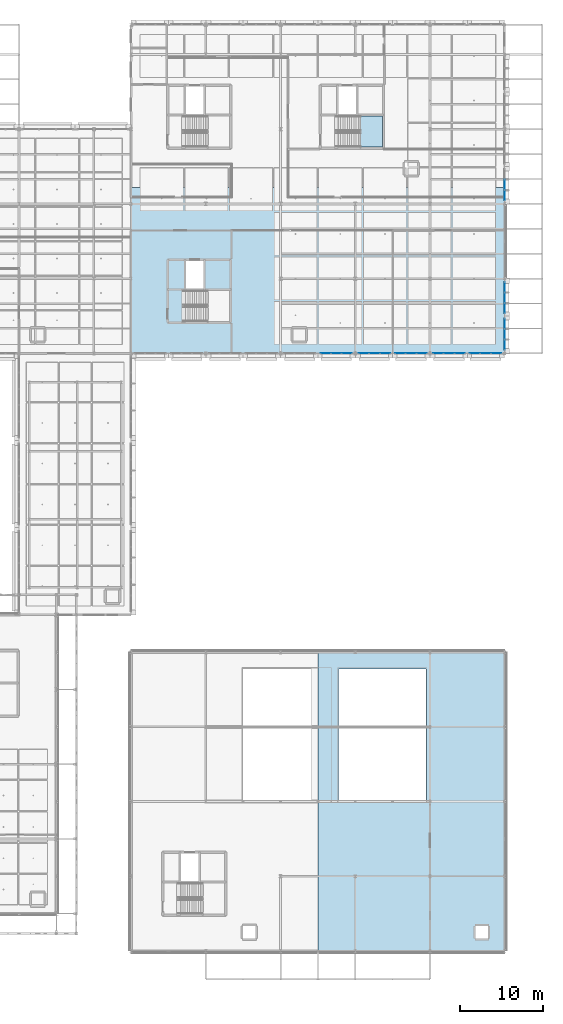
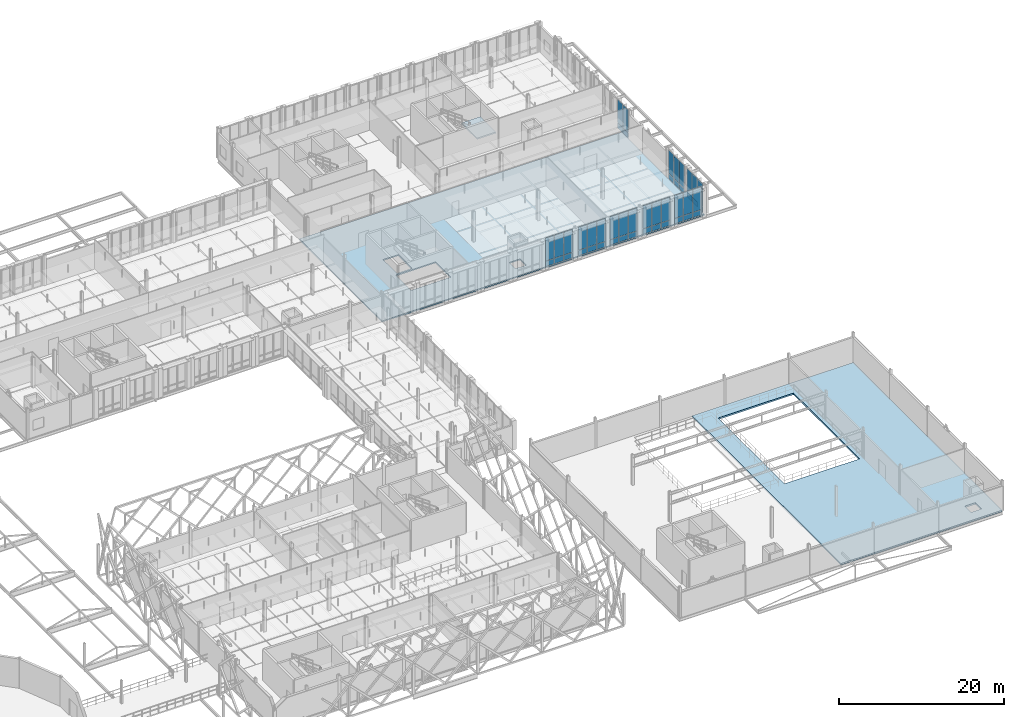
# One storey, part 77 of 140: 46 plates, 3 slabs, 9 elements without a shape of their own.
"""IFC4 building model written with IfcOpenShell, lengths in metres."""

from ifc_helpers import new_model, si_unit, direction, frame, origin, origin_2d, place, context, subcontext, project, spatial, polyline, rectangle, outline, extrude, material, layer, layer_set, type_object, element, aggregate, save


model = new_model("IFC4")

# Units and contexts
model_context = context("Model", 3, precision=1e-05, world=origin(), true_north=direction((0.0, 1.0)))
body_context = subcontext(model_context, "Body", "Model", "MODEL_VIEW")
ifc_project = project(units=[si_unit("LENGTHUNIT", "METRE"), si_unit("AREAUNIT", "SQUARE_METRE"), si_unit("VOLUMEUNIT", "CUBIC_METRE"), si_unit("PLANEANGLEUNIT", "RADIAN"), si_unit("MASSUNIT", "GRAM", prefix="KILO"), si_unit("THERMODYNAMICTEMPERATUREUNIT", "KELVIN"), si_unit("POWERUNIT", "WATT")], contexts=[model_context])

# Site, building, storey
site_placement = place(None, origin())
site = spatial("IfcSite", under=ifc_project, at=site_placement, CompositionType="ELEMENT")
building_placement = place(site_placement, origin())
building = spatial("IfcBuilding", under=site, at=building_placement, Name="Tallowbark Science Centre", CompositionType="ELEMENT")
storey_placement = place(building_placement, frame((0.0, 0.0, 9.89990234375)))
storey = spatial("IfcBuildingStorey", under=building, at=storey_placement, Name="L02", CompositionType="ELEMENT", Elevation=9.89990234375)

# Curtain wall, plates
ifc_material_1 = material(Name="Unitised Thermally Broken Aluminium and Low-E Double Glazing", Category="aluminium")
curtain_wall_type = type_object("IfcCurtainWallType", Name="CW-SYS-FACADE", PredefinedType="NOTDEFINED", material=ifc_material_1)
curtain_wall_1_placement = place(storey_placement, origin())
curtain_wall_1 = element("IfcCurtainWall", 1, at=curtain_wall_1_placement, inside=storey, type_object=curtain_wall_type, Name="Unitised Curtain Wall OBS-S-139B CW-L02-151", PredefinedType="NOTDEFINED")
ifc_material_2 = material(Name="Double Glazed Argon Low-E Vision Glass", Category="glass")
ifc_layer_1 = layer(ifc_material_2, 0.028076171875)
ifc_layer_set_1 = layer_set([ifc_layer_1], Name="Double Glazed Argon Low-E Vision Glass")
plate_type_1 = type_object("IfcPlateType", Name="CWP-GLZ-28", PredefinedType="CURTAIN_PANEL", material=ifc_layer_set_1)
plate_1_placement = place(storey_placement, frame((144.916259765625, 72.0, 0.05517578125), z_axis=(0.0, 0.0, 1.0), x_axis=(1.0, 0.0, 0.0)))
plate_1 = element("IfcPlate", 2, at=plate_1_placement, type_object=plate_type_1, Name="CW-01 panel 1.1", PredefinedType="CURTAIN_PANEL", context=body_context, shape_type="SweptSolid", body=[
    extrude(rectangle(XDim=1.202392578125, YDim=0.028076171875, at=origin_2d()), origin(), (0.0, 0.0, 1.0), 0.767578125),
])
plate_2_placement = place(storey_placement, frame((144.916259765625, 72.0, 0.87744140625), z_axis=(0.0, 0.0, 1.0), x_axis=(1.0, 0.0, 0.0)))
plate_2 = element("IfcPlate", 3, at=plate_2_placement, type_object=plate_type_1, Name="CW-01 panel 1.2", PredefinedType="CURTAIN_PANEL", context=body_context, shape_type="SweptSolid", body=[
    extrude(rectangle(XDim=1.202392578125, YDim=0.028076171875, at=origin_2d()), origin(), (0.0, 0.0, 1.0), 3.387451171875),
])
plate_3_placement = place(storey_placement, frame((146.199951171875, 72.0, 0.05517578125), z_axis=(0.0, 0.0, 1.0), x_axis=(1.0, 0.0, 0.0)))
plate_3 = element("IfcPlate", 4, at=plate_3_placement, type_object=plate_type_1, Name="CW-01 panel 2.1", PredefinedType="CURTAIN_PANEL", context=body_context, shape_type="SweptSolid", body=[
    extrude(rectangle(XDim=1.235107421875, YDim=0.028076171875, at=origin_2d()), origin(), (0.0, 0.0, 1.0), 0.767578125),
])
plate_4_placement = place(storey_placement, frame((146.199951171875, 72.0, 0.87744140625), z_axis=(0.0, 0.0, 1.0), x_axis=(1.0, 0.0, 0.0)))
plate_4 = element("IfcPlate", 5, at=plate_4_placement, type_object=plate_type_1, Name="CW-01 panel 2.2", PredefinedType="CURTAIN_PANEL", context=body_context, shape_type="SweptSolid", body=[
    extrude(rectangle(XDim=1.235107421875, YDim=0.028076171875, at=origin_2d()), origin(), (0.0, 0.0, 1.0), 3.387451171875),
])
plate_5_placement = place(storey_placement, frame((147.483642578125, 72.0, 0.05517578125), z_axis=(0.0, 0.0, 1.0), x_axis=(1.0, 0.0, 0.0)))
plate_5 = element("IfcPlate", 6, at=plate_5_placement, type_object=plate_type_1, Name="CW-01 panel 3.1", PredefinedType="CURTAIN_PANEL", context=body_context, shape_type="SweptSolid", body=[
    extrude(rectangle(XDim=1.202392578125, YDim=0.028076171875, at=origin_2d()), origin(), (0.0, 0.0, 1.0), 0.767578125),
])
plate_6_placement = place(storey_placement, frame((147.483642578125, 72.0, 0.87744140625), z_axis=(0.0, 0.0, 1.0), x_axis=(1.0, 0.0, 0.0)))
plate_6 = element("IfcPlate", 7, at=plate_6_placement, type_object=plate_type_1, Name="CW-01 panel 3.2", PredefinedType="CURTAIN_PANEL", context=body_context, shape_type="SweptSolid", body=[
    extrude(rectangle(XDim=1.202392578125, YDim=0.028076171875, at=origin_2d()), origin(), (0.0, 0.0, 1.0), 3.387451171875),
])
aggregate(curtain_wall_1, [plate_1, plate_2, plate_3, plate_4, plate_5, plate_6])

curtain_wall_2_placement = place(storey_placement, origin())
curtain_wall_2 = element("IfcCurtainWall", 8, at=curtain_wall_2_placement, inside=storey, type_object=curtain_wall_type, Name="Unitised Curtain Wall OBS-S-148A CW-L02-154", PredefinedType="NOTDEFINED")
plate_7_placement = place(storey_placement, frame((149.516357421875, 72.0, 0.05517578125), z_axis=(0.0, 0.0, 1.0), x_axis=(1.0, 0.0, 0.0)))
plate_7 = element("IfcPlate", 9, at=plate_7_placement, type_object=plate_type_1, Name="CW-01 panel 1.1", PredefinedType="CURTAIN_PANEL", context=body_context, shape_type="SweptSolid", body=[
    extrude(rectangle(XDim=1.202392578125, YDim=0.028076171875, at=origin_2d()), origin(), (0.0, 0.0, 1.0), 0.767578125),
])
plate_8_placement = place(storey_placement, frame((149.516357421875, 72.0, 0.87744140625), z_axis=(0.0, 0.0, 1.0), x_axis=(1.0, 0.0, 0.0)))
plate_8 = element("IfcPlate", 10, at=plate_8_placement, type_object=plate_type_1, Name="CW-01 panel 1.2", PredefinedType="CURTAIN_PANEL", context=body_context, shape_type="SweptSolid", body=[
    extrude(rectangle(XDim=1.202392578125, YDim=0.028076171875, at=origin_2d()), origin(), (0.0, 0.0, 1.0), 3.387451171875),
])
plate_9_placement = place(storey_placement, frame((150.800048828125, 72.0, 0.05517578125), z_axis=(0.0, 0.0, 1.0), x_axis=(1.0, 0.0, 0.0)))
plate_9 = element("IfcPlate", 11, at=plate_9_placement, type_object=plate_type_1, Name="CW-01 panel 2.1", PredefinedType="CURTAIN_PANEL", context=body_context, shape_type="SweptSolid", body=[
    extrude(rectangle(XDim=1.235107421875, YDim=0.028076171875, at=origin_2d()), origin(), (0.0, 0.0, 1.0), 0.767578125),
])
plate_10_placement = place(storey_placement, frame((150.800048828125, 72.0, 0.87744140625), z_axis=(0.0, 0.0, 1.0), x_axis=(1.0, 0.0, 0.0)))
plate_10 = element("IfcPlate", 12, at=plate_10_placement, type_object=plate_type_1, Name="CW-01 panel 2.2", PredefinedType="CURTAIN_PANEL", context=body_context, shape_type="SweptSolid", body=[
    extrude(rectangle(XDim=1.235107421875, YDim=0.028076171875, at=origin_2d()), origin(), (0.0, 0.0, 1.0), 3.387451171875),
])
plate_11_placement = place(storey_placement, frame((152.083740234375, 72.0, 0.05517578125), z_axis=(0.0, 0.0, 1.0), x_axis=(1.0, 0.0, 0.0)))
plate_11 = element("IfcPlate", 13, at=plate_11_placement, type_object=plate_type_1, Name="CW-01 panel 3.1", PredefinedType="CURTAIN_PANEL", context=body_context, shape_type="SweptSolid", body=[
    extrude(rectangle(XDim=1.202392578125, YDim=0.028076171875, at=origin_2d()), origin(), (0.0, 0.0, 1.0), 0.767578125),
])
plate_12_placement = place(storey_placement, frame((152.083740234375, 72.0, 0.87744140625), z_axis=(0.0, 0.0, 1.0), x_axis=(1.0, 0.0, 0.0)))
plate_12 = element("IfcPlate", 14, at=plate_12_placement, type_object=plate_type_1, Name="CW-01 panel 3.2", PredefinedType="CURTAIN_PANEL", context=body_context, shape_type="SweptSolid", body=[
    extrude(rectangle(XDim=1.202392578125, YDim=0.028076171875, at=origin_2d()), origin(), (0.0, 0.0, 1.0), 3.387451171875),
])
aggregate(curtain_wall_2, [plate_7, plate_8, plate_9, plate_10, plate_11, plate_12])

curtain_wall_3_placement = place(storey_placement, origin())
curtain_wall_3 = element("IfcCurtainWall", 15, at=curtain_wall_3_placement, inside=storey, type_object=curtain_wall_type, Name="Unitised Curtain Wall OBS-S-148B CW-L02-155", PredefinedType="NOTDEFINED")
plate_13_placement = place(storey_placement, frame((153.916259765625, 72.0, 0.05517578125), z_axis=(0.0, 0.0, 1.0), x_axis=(1.0, 0.0, 0.0)))
plate_13 = element("IfcPlate", 16, at=plate_13_placement, type_object=plate_type_1, Name="CW-01 panel 1.1", PredefinedType="CURTAIN_PANEL", context=body_context, shape_type="SweptSolid", body=[
    extrude(rectangle(XDim=1.202392578125, YDim=0.028076171875, at=origin_2d()), origin(), (0.0, 0.0, 1.0), 0.767578125),
])
plate_14_placement = place(storey_placement, frame((153.916259765625, 72.0, 0.87744140625), z_axis=(0.0, 0.0, 1.0), x_axis=(1.0, 0.0, 0.0)))
plate_14 = element("IfcPlate", 17, at=plate_14_placement, type_object=plate_type_1, Name="CW-01 panel 1.2", PredefinedType="CURTAIN_PANEL", context=body_context, shape_type="SweptSolid", body=[
    extrude(rectangle(XDim=1.202392578125, YDim=0.028076171875, at=origin_2d()), origin(), (0.0, 0.0, 1.0), 3.387451171875),
])
plate_15_placement = place(storey_placement, frame((155.199951171875, 72.0, 0.05517578125), z_axis=(0.0, 0.0, 1.0), x_axis=(1.0, 0.0, 0.0)))
plate_15 = element("IfcPlate", 18, at=plate_15_placement, type_object=plate_type_1, Name="CW-01 panel 2.1", PredefinedType="CURTAIN_PANEL", context=body_context, shape_type="SweptSolid", body=[
    extrude(rectangle(XDim=1.235107421875, YDim=0.028076171875, at=origin_2d()), origin(), (0.0, 0.0, 1.0), 0.767578125),
])
plate_16_placement = place(storey_placement, frame((155.199951171875, 72.0, 0.87744140625), z_axis=(0.0, 0.0, 1.0), x_axis=(1.0, 0.0, 0.0)))
plate_16 = element("IfcPlate", 19, at=plate_16_placement, type_object=plate_type_1, Name="CW-01 panel 2.2", PredefinedType="CURTAIN_PANEL", context=body_context, shape_type="SweptSolid", body=[
    extrude(rectangle(XDim=1.235107421875, YDim=0.028076171875, at=origin_2d()), origin(), (0.0, 0.0, 1.0), 3.387451171875),
])
plate_17_placement = place(storey_placement, frame((156.483642578125, 72.0, 0.05517578125), z_axis=(0.0, 0.0, 1.0), x_axis=(1.0, 0.0, 0.0)))
plate_17 = element("IfcPlate", 20, at=plate_17_placement, type_object=plate_type_1, Name="CW-01 panel 3.1", PredefinedType="CURTAIN_PANEL", context=body_context, shape_type="SweptSolid", body=[
    extrude(rectangle(XDim=1.202392578125, YDim=0.028076171875, at=origin_2d()), origin(), (0.0, 0.0, 1.0), 0.767578125),
])
plate_18_placement = place(storey_placement, frame((156.483642578125, 72.0, 0.87744140625), z_axis=(0.0, 0.0, 1.0), x_axis=(1.0, 0.0, 0.0)))
plate_18 = element("IfcPlate", 21, at=plate_18_placement, type_object=plate_type_1, Name="CW-01 panel 3.2", PredefinedType="CURTAIN_PANEL", context=body_context, shape_type="SweptSolid", body=[
    extrude(rectangle(XDim=1.202392578125, YDim=0.028076171875, at=origin_2d()), origin(), (0.0, 0.0, 1.0), 3.387451171875),
])
aggregate(curtain_wall_3, [plate_13, plate_14, plate_15, plate_16, plate_17, plate_18])

curtain_wall_4_placement = place(storey_placement, origin())
curtain_wall_4 = element("IfcCurtainWall", 22, at=curtain_wall_4_placement, inside=storey, type_object=curtain_wall_type, Name="Unitised Curtain Wall OBS-E-72A CW-L02-158", PredefinedType="NOTDEFINED")
plate_19_placement = place(storey_placement, frame((157.5, 73.016357421875, 0.05517578125), z_axis=(0.0, 0.0, 1.0), x_axis=(0.0, 1.0, 0.0)))
plate_19 = element("IfcPlate", 23, at=plate_19_placement, type_object=plate_type_1, Name="CW-01 panel 1.1", PredefinedType="CURTAIN_PANEL", context=body_context, shape_type="SweptSolid", body=[
    extrude(rectangle(XDim=1.202392578125, YDim=0.028076171875, at=origin_2d()), origin(), (0.0, 0.0, 1.0), 0.767578125),
])
plate_20_placement = place(storey_placement, frame((157.5, 73.016357421875, 0.87744140625), z_axis=(0.0, 0.0, 1.0), x_axis=(0.0, 1.0, 0.0)))
plate_20 = element("IfcPlate", 24, at=plate_20_placement, type_object=plate_type_1, Name="CW-01 panel 1.2", PredefinedType="CURTAIN_PANEL", context=body_context, shape_type="SweptSolid", body=[
    extrude(rectangle(XDim=1.202392578125, YDim=0.028076171875, at=origin_2d()), origin(), (0.0, 0.0, 1.0), 3.387451171875),
])
plate_21_placement = place(storey_placement, frame((157.5, 74.300048828125, 0.05517578125), z_axis=(0.0, 0.0, 1.0), x_axis=(0.0, 1.0, 0.0)))
plate_21 = element("IfcPlate", 25, at=plate_21_placement, type_object=plate_type_1, Name="CW-01 panel 2.1", PredefinedType="CURTAIN_PANEL", context=body_context, shape_type="SweptSolid", body=[
    extrude(rectangle(XDim=1.235107421875, YDim=0.028076171875, at=origin_2d()), origin(), (0.0, 0.0, 1.0), 0.767578125),
])
plate_22_placement = place(storey_placement, frame((157.5, 74.300048828125, 0.87744140625), z_axis=(0.0, 0.0, 1.0), x_axis=(0.0, 1.0, 0.0)))
plate_22 = element("IfcPlate", 26, at=plate_22_placement, type_object=plate_type_1, Name="CW-01 panel 2.2", PredefinedType="CURTAIN_PANEL", context=body_context, shape_type="SweptSolid", body=[
    extrude(rectangle(XDim=1.235107421875, YDim=0.028076171875, at=origin_2d()), origin(), (0.0, 0.0, 1.0), 3.387451171875),
])
plate_23_placement = place(storey_placement, frame((157.5, 75.583740234375, 0.05517578125), z_axis=(0.0, 0.0, 1.0), x_axis=(0.0, 1.0, 0.0)))
plate_23 = element("IfcPlate", 27, at=plate_23_placement, type_object=plate_type_1, Name="CW-01 panel 3.1", PredefinedType="CURTAIN_PANEL", context=body_context, shape_type="SweptSolid", body=[
    extrude(rectangle(XDim=1.202392578125, YDim=0.028076171875, at=origin_2d()), origin(), (0.0, 0.0, 1.0), 0.767578125),
])
plate_24_placement = place(storey_placement, frame((157.5, 75.583740234375, 0.87744140625), z_axis=(0.0, 0.0, 1.0), x_axis=(0.0, 1.0, 0.0)))
plate_24 = element("IfcPlate", 28, at=plate_24_placement, type_object=plate_type_1, Name="CW-01 panel 3.2", PredefinedType="CURTAIN_PANEL", context=body_context, shape_type="SweptSolid", body=[
    extrude(rectangle(XDim=1.202392578125, YDim=0.028076171875, at=origin_2d()), origin(), (0.0, 0.0, 1.0), 3.387451171875),
])
aggregate(curtain_wall_4, [plate_19, plate_20, plate_21, plate_22, plate_23, plate_24])

curtain_wall_5_placement = place(storey_placement, origin())
curtain_wall_5 = element("IfcCurtainWall", 29, at=curtain_wall_5_placement, inside=storey, type_object=curtain_wall_type, Name="Unitised Curtain Wall OBS-E-90A CW-L02-160", PredefinedType="NOTDEFINED")
plate_25_placement = place(storey_placement, frame((157.5, 91.016357421875, 0.05517578125), z_axis=(0.0, 0.0, 1.0), x_axis=(0.0, 1.0, 0.0)))
plate_25 = element("IfcPlate", 30, at=plate_25_placement, type_object=plate_type_1, Name="CW-01 panel 1.1", PredefinedType="CURTAIN_PANEL", context=body_context, shape_type="SweptSolid", body=[
    extrude(rectangle(XDim=1.202392578125, YDim=0.028076171875, at=origin_2d()), origin(), (0.0, 0.0, 1.0), 0.767578125),
])
plate_26_placement = place(storey_placement, frame((157.5, 91.016357421875, 0.87744140625), z_axis=(0.0, 0.0, 1.0), x_axis=(0.0, 1.0, 0.0)))
plate_26 = element("IfcPlate", 31, at=plate_26_placement, type_object=plate_type_1, Name="CW-01 panel 1.2", PredefinedType="CURTAIN_PANEL", context=body_context, shape_type="SweptSolid", body=[
    extrude(rectangle(XDim=1.202392578125, YDim=0.028076171875, at=origin_2d()), origin(), (0.0, 0.0, 1.0), 3.387451171875),
])
plate_27_placement = place(storey_placement, frame((157.5, 92.300048828125, 0.05517578125), z_axis=(0.0, 0.0, 1.0), x_axis=(0.0, 1.0, 0.0)))
plate_27 = element("IfcPlate", 32, at=plate_27_placement, type_object=plate_type_1, Name="CW-01 panel 2.1", PredefinedType="CURTAIN_PANEL", context=body_context, shape_type="SweptSolid", body=[
    extrude(rectangle(XDim=1.235107421875, YDim=0.028076171875, at=origin_2d()), origin(), (0.0, 0.0, 1.0), 0.767578125),
])
plate_28_placement = place(storey_placement, frame((157.5, 92.300048828125, 0.87744140625), z_axis=(0.0, 0.0, 1.0), x_axis=(0.0, 1.0, 0.0)))
plate_28 = element("IfcPlate", 33, at=plate_28_placement, type_object=plate_type_1, Name="CW-01 panel 2.2", PredefinedType="CURTAIN_PANEL", context=body_context, shape_type="SweptSolid", body=[
    extrude(rectangle(XDim=1.235107421875, YDim=0.028076171875, at=origin_2d()), origin(), (0.0, 0.0, 1.0), 3.387451171875),
])
aggregate(curtain_wall_5, [plate_25, plate_26, plate_27, plate_28])

curtain_wall_6_placement = place(storey_placement, origin())
curtain_wall_6 = element("IfcCurtainWall", 34, at=curtain_wall_6_placement, inside=storey, type_object=curtain_wall_type, Name="Unitised Curtain Wall OBS-S-130B CW-L02-147", PredefinedType="NOTDEFINED")
ifc_material_3 = material(Name="Ceramic-Fritted Insulated Glass Spandrel Panel", Category="glass")
ifc_layer_2 = layer(ifc_material_3, 0.031982421875)
ifc_layer_set_2 = layer_set([ifc_layer_2], Name="Ceramic-Fritted Insulated Glass Spandrel Panel")
plate_type_2 = type_object("IfcPlateType", Name="CWP-SPN-32", PredefinedType="CURTAIN_PANEL", material=ifc_layer_set_2)
plate_29_placement = place(storey_placement, frame((135.916259765625, 72.0, 0.05517578125), z_axis=(0.0, 0.0, 1.0), x_axis=(1.0, 0.0, 0.0)))
plate_29 = element("IfcPlate", 35, at=plate_29_placement, type_object=plate_type_2, Name="CW-01 panel 1.1", PredefinedType="CURTAIN_PANEL", context=body_context, shape_type="SweptSolid", body=[
    extrude(rectangle(XDim=1.202392578125, YDim=0.031982421875, at=origin_2d()), origin(), (0.0, 0.0, 1.0), 0.767578125),
])
plate_30_placement = place(storey_placement, frame((135.916259765625, 72.0, 0.87744140625), z_axis=(0.0, 0.0, 1.0), x_axis=(1.0, 0.0, 0.0)))
plate_30 = element("IfcPlate", 36, at=plate_30_placement, type_object=plate_type_2, Name="CW-01 panel 1.2", PredefinedType="CURTAIN_PANEL", context=body_context, shape_type="SweptSolid", body=[
    extrude(rectangle(XDim=1.202392578125, YDim=0.031982421875, at=origin_2d()), origin(), (0.0, 0.0, 1.0), 3.387451171875),
])
plate_31_placement = place(storey_placement, frame((137.199951171875, 72.0, 0.05517578125), z_axis=(0.0, 0.0, 1.0), x_axis=(1.0, 0.0, 0.0)))
plate_31 = element("IfcPlate", 37, at=plate_31_placement, type_object=plate_type_2, Name="CW-01 panel 2.1", PredefinedType="CURTAIN_PANEL", context=body_context, shape_type="SweptSolid", body=[
    extrude(rectangle(XDim=1.235107421875, YDim=0.031982421875, at=origin_2d()), origin(), (0.0, 0.0, 1.0), 0.767578125),
])
plate_32_placement = place(storey_placement, frame((137.199951171875, 72.0, 0.87744140625), z_axis=(0.0, 0.0, 1.0), x_axis=(1.0, 0.0, 0.0)))
plate_32 = element("IfcPlate", 38, at=plate_32_placement, type_object=plate_type_2, Name="CW-01 panel 2.2", PredefinedType="CURTAIN_PANEL", context=body_context, shape_type="SweptSolid", body=[
    extrude(rectangle(XDim=1.235107421875, YDim=0.031982421875, at=origin_2d()), origin(), (0.0, 0.0, 1.0), 3.387451171875),
])
plate_33_placement = place(storey_placement, frame((138.483642578125, 72.0, 0.05517578125), z_axis=(0.0, 0.0, 1.0), x_axis=(1.0, 0.0, 0.0)))
plate_33 = element("IfcPlate", 39, at=plate_33_placement, type_object=plate_type_2, Name="CW-01 panel 3.1", PredefinedType="CURTAIN_PANEL", context=body_context, shape_type="SweptSolid", body=[
    extrude(rectangle(XDim=1.202392578125, YDim=0.031982421875, at=origin_2d()), origin(), (0.0, 0.0, 1.0), 0.767578125),
])
plate_34_placement = place(storey_placement, frame((138.483642578125, 72.0, 0.87744140625), z_axis=(0.0, 0.0, 1.0), x_axis=(1.0, 0.0, 0.0)))
plate_34 = element("IfcPlate", 40, at=plate_34_placement, type_object=plate_type_2, Name="CW-01 panel 3.2", PredefinedType="CURTAIN_PANEL", context=body_context, shape_type="SweptSolid", body=[
    extrude(rectangle(XDim=1.202392578125, YDim=0.031982421875, at=origin_2d()), origin(), (0.0, 0.0, 1.0), 3.387451171875),
])
aggregate(curtain_wall_6, [plate_29, plate_30, plate_31, plate_32, plate_33, plate_34])

curtain_wall_7_placement = place(storey_placement, origin())
curtain_wall_7 = element("IfcCurtainWall", 41, at=curtain_wall_7_placement, inside=storey, type_object=curtain_wall_type, Name="Unitised Curtain Wall OBS-S-139A CW-L02-150", PredefinedType="NOTDEFINED")
plate_35_placement = place(storey_placement, frame((140.516357421875, 72.0, 0.05517578125), z_axis=(0.0, 0.0, 1.0), x_axis=(1.0, 0.0, 0.0)))
plate_35 = element("IfcPlate", 42, at=plate_35_placement, type_object=plate_type_2, Name="CW-01 panel 1.1", PredefinedType="CURTAIN_PANEL", context=body_context, shape_type="SweptSolid", body=[
    extrude(rectangle(XDim=1.202392578125, YDim=0.031982421875, at=origin_2d()), origin(), (0.0, 0.0, 1.0), 0.767578125),
])
plate_36_placement = place(storey_placement, frame((140.516357421875, 72.0, 0.87744140625), z_axis=(0.0, 0.0, 1.0), x_axis=(1.0, 0.0, 0.0)))
plate_36 = element("IfcPlate", 43, at=plate_36_placement, type_object=plate_type_2, Name="CW-01 panel 1.2", PredefinedType="CURTAIN_PANEL", context=body_context, shape_type="SweptSolid", body=[
    extrude(rectangle(XDim=1.202392578125, YDim=0.031982421875, at=origin_2d()), origin(), (0.0, 0.0, 1.0), 3.387451171875),
])
plate_37_placement = place(storey_placement, frame((141.800048828125, 72.0, 0.05517578125), z_axis=(0.0, 0.0, 1.0), x_axis=(1.0, 0.0, 0.0)))
plate_37 = element("IfcPlate", 44, at=plate_37_placement, type_object=plate_type_2, Name="CW-01 panel 2.1", PredefinedType="CURTAIN_PANEL", context=body_context, shape_type="SweptSolid", body=[
    extrude(rectangle(XDim=1.235107421875, YDim=0.031982421875, at=origin_2d()), origin(), (0.0, 0.0, 1.0), 0.767578125),
])
plate_38_placement = place(storey_placement, frame((141.800048828125, 72.0, 0.87744140625), z_axis=(0.0, 0.0, 1.0), x_axis=(1.0, 0.0, 0.0)))
plate_38 = element("IfcPlate", 45, at=plate_38_placement, type_object=plate_type_2, Name="CW-01 panel 2.2", PredefinedType="CURTAIN_PANEL", context=body_context, shape_type="SweptSolid", body=[
    extrude(rectangle(XDim=1.235107421875, YDim=0.031982421875, at=origin_2d()), origin(), (0.0, 0.0, 1.0), 3.387451171875),
])
plate_39_placement = place(storey_placement, frame((143.083740234375, 72.0, 0.05517578125), z_axis=(0.0, 0.0, 1.0), x_axis=(1.0, 0.0, 0.0)))
plate_39 = element("IfcPlate", 46, at=plate_39_placement, type_object=plate_type_2, Name="CW-01 panel 3.1", PredefinedType="CURTAIN_PANEL", context=body_context, shape_type="SweptSolid", body=[
    extrude(rectangle(XDim=1.202392578125, YDim=0.031982421875, at=origin_2d()), origin(), (0.0, 0.0, 1.0), 0.767578125),
])
plate_40_placement = place(storey_placement, frame((143.083740234375, 72.0, 0.87744140625), z_axis=(0.0, 0.0, 1.0), x_axis=(1.0, 0.0, 0.0)))
plate_40 = element("IfcPlate", 47, at=plate_40_placement, type_object=plate_type_2, Name="CW-01 panel 3.2", PredefinedType="CURTAIN_PANEL", context=body_context, shape_type="SweptSolid", body=[
    extrude(rectangle(XDim=1.202392578125, YDim=0.031982421875, at=origin_2d()), origin(), (0.0, 0.0, 1.0), 3.387451171875),
])
aggregate(curtain_wall_7, [plate_35, plate_36, plate_37, plate_38, plate_39, plate_40])

curtain_wall_8_placement = place(storey_placement, origin())
curtain_wall_8 = element("IfcCurtainWall", 48, at=curtain_wall_8_placement, inside=storey, type_object=curtain_wall_type, Name="Unitised Curtain Wall OBS-E-72B CW-L02-159", PredefinedType="NOTDEFINED")
plate_41_placement = place(storey_placement, frame((157.5, 77.416259765625, 0.05517578125), z_axis=(0.0, 0.0, 1.0), x_axis=(0.0, 1.0, 0.0)))
plate_41 = element("IfcPlate", 49, at=plate_41_placement, type_object=plate_type_2, Name="CW-01 panel 1.1", PredefinedType="CURTAIN_PANEL", context=body_context, shape_type="SweptSolid", body=[
    extrude(rectangle(XDim=1.202392578125, YDim=0.031982421875, at=origin_2d()), origin(), (0.0, 0.0, 1.0), 0.767578125),
])
plate_42_placement = place(storey_placement, frame((157.5, 77.416259765625, 0.87744140625), z_axis=(0.0, 0.0, 1.0), x_axis=(0.0, 1.0, 0.0)))
plate_42 = element("IfcPlate", 50, at=plate_42_placement, type_object=plate_type_2, Name="CW-01 panel 1.2", PredefinedType="CURTAIN_PANEL", context=body_context, shape_type="SweptSolid", body=[
    extrude(rectangle(XDim=1.202392578125, YDim=0.031982421875, at=origin_2d()), origin(), (0.0, 0.0, 1.0), 3.387451171875),
])
plate_43_placement = place(storey_placement, frame((157.5, 78.699951171875, 0.05517578125), z_axis=(0.0, 0.0, 1.0), x_axis=(0.0, 1.0, 0.0)))
plate_43 = element("IfcPlate", 51, at=plate_43_placement, type_object=plate_type_2, Name="CW-01 panel 2.1", PredefinedType="CURTAIN_PANEL", context=body_context, shape_type="SweptSolid", body=[
    extrude(rectangle(XDim=1.235107421875, YDim=0.031982421875, at=origin_2d()), origin(), (0.0, 0.0, 1.0), 0.767578125),
])
plate_44_placement = place(storey_placement, frame((157.5, 78.699951171875, 0.87744140625), z_axis=(0.0, 0.0, 1.0), x_axis=(0.0, 1.0, 0.0)))
plate_44 = element("IfcPlate", 52, at=plate_44_placement, type_object=plate_type_2, Name="CW-01 panel 2.2", PredefinedType="CURTAIN_PANEL", context=body_context, shape_type="SweptSolid", body=[
    extrude(rectangle(XDim=1.235107421875, YDim=0.031982421875, at=origin_2d()), origin(), (0.0, 0.0, 1.0), 3.387451171875),
])
plate_45_placement = place(storey_placement, frame((157.5, 79.983642578125, 0.05517578125), z_axis=(0.0, 0.0, 1.0), x_axis=(0.0, 1.0, 0.0)))
plate_45 = element("IfcPlate", 53, at=plate_45_placement, type_object=plate_type_2, Name="CW-01 panel 3.1", PredefinedType="CURTAIN_PANEL", context=body_context, shape_type="SweptSolid", body=[
    extrude(rectangle(XDim=1.202392578125, YDim=0.031982421875, at=origin_2d()), origin(), (0.0, 0.0, 1.0), 0.767578125),
])
plate_46_placement = place(storey_placement, frame((157.5, 79.983642578125, 0.87744140625), z_axis=(0.0, 0.0, 1.0), x_axis=(0.0, 1.0, 0.0)))
plate_46 = element("IfcPlate", 54, at=plate_46_placement, type_object=plate_type_2, Name="CW-01 panel 3.2", PredefinedType="CURTAIN_PANEL", context=body_context, shape_type="SweptSolid", body=[
    extrude(rectangle(XDim=1.202392578125, YDim=0.031982421875, at=origin_2d()), origin(), (0.0, 0.0, 1.0), 3.387451171875),
])
aggregate(curtain_wall_8, [plate_41, plate_42, plate_43, plate_44, plate_45, plate_46])

# Slabs
ifc_material_4 = material(Name="Concrete Grade N40 (40 MPa)", Category="concrete")
ifc_layer_3 = layer(ifc_material_4, 0.179931640625)
ifc_layer_set_3 = layer_set([ifc_layer_3], Name="Concrete Grade N40 (40 MPa)")
slab_type_1 = type_object("IfcSlabType", Name="SLB-FLR-180", PredefinedType="FLOOR", material=ifc_layer_set_3)
slab_1_placement = place(storey_placement, frame((0.0, 0.0, -0.179931640625)))
element("IfcSlab", 55, at=slab_1_placement, inside=storey, type_object=slab_type_1, Name="Astronomy Wing South Slab L02 SLB-OBS-S-L02", PredefinedType="FLOOR", context=body_context, shape_type="SweptSolid", body=[
    extrude(outline(polyline([(112.52490234375, 72.0), (157.5, 72.0), (157.5, 92.0), (112.52490234375, 92.0), (112.52490234375, 72.0)]), holes=[polyline([(118.81005859375, 75.85009765625), (124.35009765625, 75.85009765625), (124.35009765625, 79.570068359375), (118.81005859375, 79.570068359375), (118.81005859375, 75.85009765625)]), polyline([(119.10009765625, 79.820068359375), (121.199951171875, 79.820068359375), (121.199951171875, 83.14990234375), (119.10009765625, 83.14990234375), (119.10009765625, 79.820068359375)]), polyline([(132.0, 73.5), (133.5, 73.5), (133.5, 75.0), (132.0, 75.0), (132.0, 73.5)])]), origin(), (0.0, 0.0, 1.0), 0.179931640625),
])
ifc_layer_4 = layer(ifc_material_4, 0.239990234375)
ifc_layer_set_4 = layer_set([ifc_layer_4], Name="Concrete Grade N40 (40 MPa)")
slab_type_2 = type_object("IfcSlabType", Name="SLB-GND-240", PredefinedType="FLOOR", material=ifc_layer_set_4)
slab_2_placement = place(storey_placement, frame((0.0, 0.0, -0.239990234375)))
element("IfcSlab", 56, at=slab_2_placement, inside=storey, type_object=slab_type_2, Name="Theatre East Slab SLB-THT-E-L02", PredefinedType="FLOOR", context=body_context, shape_type="SweptSolid", body=[
    extrude(outline(polyline([(135.0, 0.0), (157.5, 0.0), (157.5, 36.0), (135.0, 36.0), (135.0, 0.0)]), holes=[polyline([(154.0, 1.5), (155.5, 1.5), (155.5, 3.0), (154.0, 3.0), (154.0, 1.5)]), polyline([(137.5, 18.0), (148.0, 18.0), (148.0, 34.0), (137.5, 34.0), (137.5, 18.0)])]), origin(), (0.0, 0.0, 1.0), 0.239990234375),
])

# Stair, slab
stair_type = type_object("IfcStairType", Name="STR-C4", PredefinedType="HALF_TURN_STAIR", material=ifc_material_4)
stair_placement = place(storey_placement, origin())
stair = element("IfcStair", 57, at=stair_placement, inside=storey, type_object=stair_type, Name="L02 Fire Stair ST-04", PredefinedType="HALF_TURN_STAIR")
ifc_layer_5 = layer(ifc_material_4, 0.199951171875)
ifc_layer_set_5 = layer_set([ifc_layer_5], Name="Concrete Grade N40 (40 MPa)")
slab_type_3 = type_object("IfcSlabType", Name="SLB-LND-200", PredefinedType="LANDING", material=ifc_layer_set_5)
slab_3_placement = place(storey_placement, frame((0.0, 0.0, 2.050048828125)))
slab_3 = element("IfcSlab", 58, at=slab_3_placement, type_object=slab_type_3, Name="ST-04 landing 1", PredefinedType="LANDING", context=body_context, shape_type="SweptSolid", body=[
    extrude(outline(polyline([(140.125, 96.85009765625), (142.75, 96.85009765625), (142.75, 100.570068359375), (140.125, 100.570068359375), (140.125, 96.85009765625)])), origin(), (0.0, 0.0, 1.0), 0.199951171875),
])
aggregate(stair, [slab_3])

save(model, "model.ifc")
